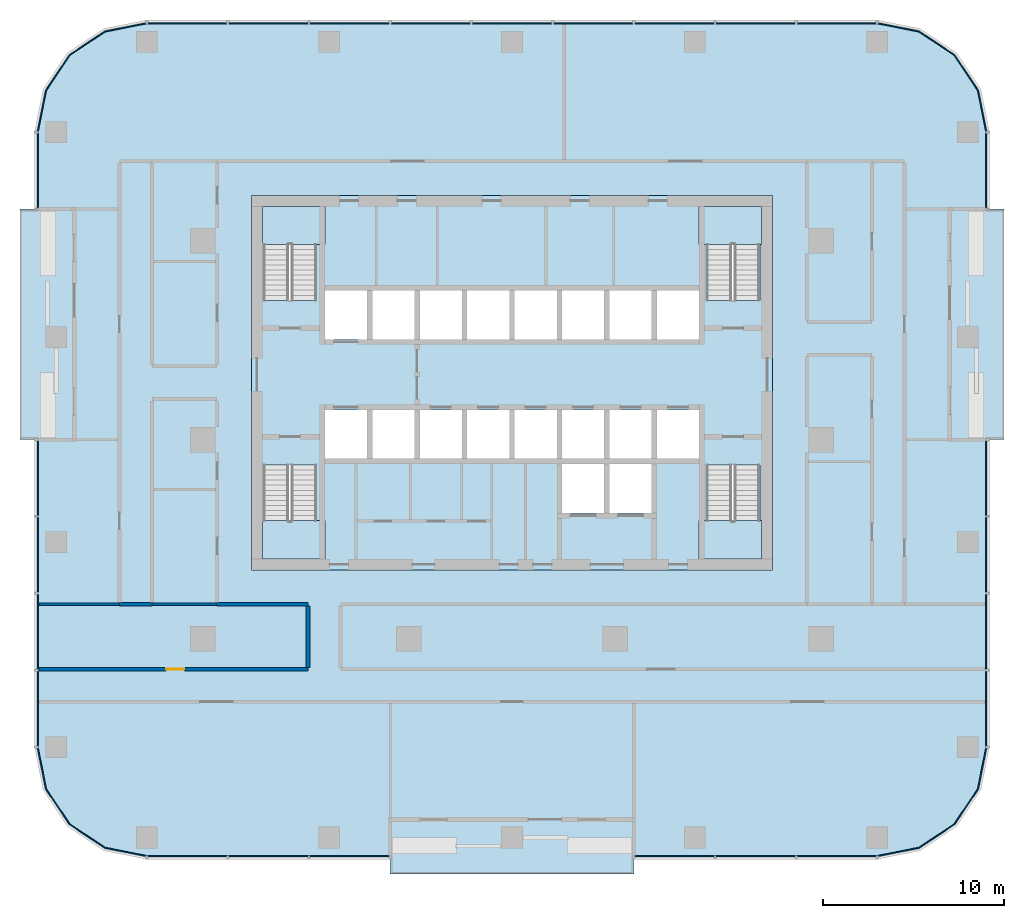
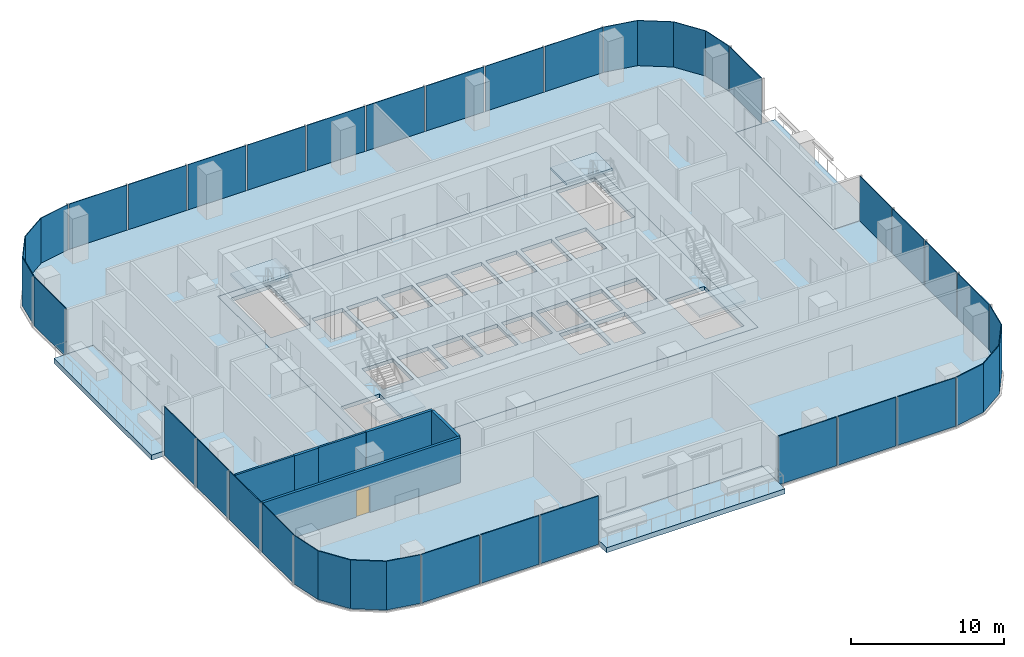
# One storey, part 6 of 14: 29 plates, 9 slabs, 6 walls, 1 door, 1 opening, 15 elements without a shape of their own.
"""IFC4 building model written with IfcOpenShell, lengths in metres."""

from ifc_helpers import new_model, si_unit, direction, frame, frame_2d, origin, origin_2d, place, context, subcontext, project, spatial, polyline, rectangle, outline, extrude, material, layer, layer_set, type_object, element, fill, aggregate, save


model = new_model("IFC4")

# Units and contexts
model_context = context("Model", 3, precision=1e-05, world=origin(), true_north=direction((0.0, 1.0)))
body_context = subcontext(model_context, "Body", "Model", "MODEL_VIEW")
ifc_project = project(units=[si_unit("LENGTHUNIT", "METRE"), si_unit("AREAUNIT", "SQUARE_METRE"), si_unit("VOLUMEUNIT", "CUBIC_METRE"), si_unit("PLANEANGLEUNIT", "RADIAN"), si_unit("MASSUNIT", "GRAM", prefix="KILO")], contexts=[model_context])

# Site, building, storey
site_placement = place(None, origin())
site = spatial("IfcSite", under=ifc_project, at=site_placement, CompositionType="ELEMENT")
building_placement = place(site_placement, origin())
building = spatial("IfcBuilding", under=site, at=building_placement, Name="Mopane Tessera Tower", CompositionType="ELEMENT")
storey_placement = place(building_placement, frame((0.0, 0.0, 161.0)))
storey = spatial("IfcBuildingStorey", under=building, at=storey_placement, Name="L32", CompositionType="ELEMENT", Elevation=161.0)

# Slab
ifc_material_1 = material(Name="Concrete C40/50", Category="concrete")
ifc_layer_1 = layer(ifc_material_1, 0.300048828125)
ifc_layer_set_1 = layer_set([ifc_layer_1], Name="Concrete C40/50")
slab_type_1 = type_object("IfcSlabType", Name="Core floor slab 300 mm", PredefinedType="FLOOR", material=ifc_layer_set_1)
slab_1_placement = place(storey_placement, frame((0.0, 0.0, -0.300048828125)))
element("IfcSlab", 1, at=slab_1_placement, inside=storey, type_object=slab_type_1, Name="L32 core floor slab", PredefinedType="FLOOR", context=body_context, shape_type="SweptSolid", body=[
    extrude(outline(polyline([(-14.39990234375, -7.199951171875), (14.39990234375, -7.199951171875), (14.39990234375, 13.5), (-14.39990234375, 13.5), (-14.39990234375, -7.199951171875)]), holes=[polyline([(-10.35009765625, -1.050048828125), (-8.02490234375, -1.050048828125), (-8.02490234375, 1.64990234375), (-10.35009765625, 1.64990234375), (-10.35009765625, -1.050048828125)]), polyline([(-7.72509765625, -1.050048828125), (-5.39990234375, -1.050048828125), (-5.39990234375, 1.64990234375), (-7.72509765625, 1.64990234375), (-7.72509765625, -1.050048828125)]), polyline([(-5.10009765625, -1.050048828125), (-2.77490234375, -1.050048828125), (-2.77490234375, 1.64990234375), (-5.10009765625, 1.64990234375), (-5.10009765625, -1.050048828125)]), polyline([(-2.47509765625, -1.050048828125), (-0.14990234375, -1.050048828125), (-0.14990234375, 1.64990234375), (-2.47509765625, 1.64990234375), (-2.47509765625, -1.050048828125)]), polyline([(0.14990234375, -1.050048828125), (2.47509765625, -1.050048828125), (2.47509765625, 1.64990234375), (0.14990234375, 1.64990234375), (0.14990234375, -1.050048828125)]), polyline([(2.77490234375, -1.050048828125), (5.10009765625, -1.050048828125), (5.10009765625, 1.64990234375), (2.77490234375, 1.64990234375), (2.77490234375, -1.050048828125)]), polyline([(5.39990234375, -1.050048828125), (7.72509765625, -1.050048828125), (7.72509765625, 1.64990234375), (5.39990234375, 1.64990234375), (5.39990234375, -1.050048828125)]), polyline([(8.02490234375, -1.050048828125), (10.35009765625, -1.050048828125), (10.35009765625, 1.64990234375), (8.02490234375, 1.64990234375), (8.02490234375, -1.050048828125)]), polyline([(-10.35009765625, 5.550048828125), (-8.02490234375, 5.550048828125), (-8.02490234375, 8.25), (-10.35009765625, 8.25), (-10.35009765625, 5.550048828125)]), polyline([(-7.72509765625, 5.550048828125), (-5.39990234375, 5.550048828125), (-5.39990234375, 8.25), (-7.72509765625, 8.25), (-7.72509765625, 5.550048828125)]), polyline([(-5.10009765625, 5.550048828125), (-2.77490234375, 5.550048828125), (-2.77490234375, 8.25), (-5.10009765625, 8.25), (-5.10009765625, 5.550048828125)]), polyline([(-2.47509765625, 5.550048828125), (-0.14990234375, 5.550048828125), (-0.14990234375, 8.25), (-2.47509765625, 8.25), (-2.47509765625, 5.550048828125)]), polyline([(0.14990234375, 5.550048828125), (2.47509765625, 5.550048828125), (2.47509765625, 8.25), (0.14990234375, 8.25), (0.14990234375, 5.550048828125)]), polyline([(2.77490234375, 5.550048828125), (5.10009765625, 5.550048828125), (5.10009765625, 8.25), (2.77490234375, 8.25), (2.77490234375, 5.550048828125)]), polyline([(5.39990234375, 5.550048828125), (7.72509765625, 5.550048828125), (7.72509765625, 8.25), (5.39990234375, 8.25), (5.39990234375, 5.550048828125)]), polyline([(8.02490234375, 5.550048828125), (10.35009765625, 5.550048828125), (10.35009765625, 8.25), (8.02490234375, 8.25), (8.02490234375, 5.550048828125)]), polyline([(2.77490234375, -4.050048828125), (5.10009765625, -4.050048828125), (5.10009765625, -1.35009765625), (2.77490234375, -1.35009765625), (2.77490234375, -4.050048828125)]), polyline([(5.39990234375, -4.050048828125), (7.72509765625, -4.050048828125), (7.72509765625, -1.35009765625), (5.39990234375, -1.35009765625), (5.39990234375, -4.050048828125)]), polyline([(-13.75, -1.405029296875), (-13.75, -6.60009765625), (-10.800048828125, -6.60009765625), (-10.800048828125, -1.405029296875), (-13.75, -1.405029296875)]), polyline([(-10.800048828125, 7.705078125), (-10.800048828125, 12.89990234375), (-13.75, 12.89990234375), (-13.75, 7.705078125), (-10.800048828125, 7.705078125)]), polyline([(10.75, -1.405029296875), (10.75, -6.60009765625), (13.699951171875, -6.60009765625), (13.699951171875, -1.405029296875), (10.75, -1.405029296875)]), polyline([(13.699951171875, 7.705078125), (13.699951171875, 12.89990234375), (10.75, 12.89990234375), (10.75, 7.705078125), (13.699951171875, 7.705078125)])]), origin(), (0.0, 0.0, 1.0), 0.300048828125),
])

# Stair, slab
ifc_material_2 = material(Name="Concrete C50/60", Category="concrete")
stair_type = type_object("IfcStairType", Name="Escape stair 1400 mm, riser 167 mm", PredefinedType="HALF_TURN_STAIR", material=ifc_material_2)
stair_1_placement = place(storey_placement, origin())
stair_1 = element("IfcStair", 2, at=stair_1_placement, inside=storey, type_object=stair_type, Name="L32 Escape stair south-west", PredefinedType="HALF_TURN_STAIR")
ifc_material_3 = material(Name="Concrete C50/60", Category="concrete")
ifc_layer_2 = layer(ifc_material_3, 0.199951171875)
ifc_layer_set_2 = layer_set([ifc_layer_2], Name="Concrete C50/60")
slab_type_2 = type_object("IfcSlabType", Name="Escape stair landing 200 mm", PredefinedType="LANDING", material=ifc_layer_set_2)
slab_2_placement = place(storey_placement, frame((0.0, 0.0, 1.800048828125)))
slab_2 = element("IfcSlab", 3, at=slab_2_placement, type_object=slab_type_2, Name="ST1 landing 1", PredefinedType="LANDING", context=body_context, shape_type="SweptSolid", body=[
    extrude(outline(polyline([(-13.800048828125, -4.47998046875), (-13.800048828125, -6.60009765625), (-10.35009765625, -6.60009765625), (-10.35009765625, -4.47998046875), (-13.800048828125, -4.47998046875)])), origin(), (0.0, 0.0, 1.0), 0.199951171875),
])
aggregate(stair_1, [slab_2])

stair_2_placement = place(storey_placement, origin())
stair_2 = element("IfcStair", 4, at=stair_2_placement, inside=storey, type_object=stair_type, Name="L32 Escape stair north-west", PredefinedType="HALF_TURN_STAIR")
slab_3_placement = place(storey_placement, frame((0.0, 0.0, 1.800048828125)))
slab_3 = element("IfcSlab", 5, at=slab_3_placement, type_object=slab_type_2, Name="ST2 landing 1", PredefinedType="LANDING", context=body_context, shape_type="SweptSolid", body=[
    extrude(outline(polyline([(-10.35009765625, 10.780029296875), (-10.35009765625, 12.89990234375), (-13.800048828125, 12.89990234375), (-13.800048828125, 10.780029296875), (-10.35009765625, 10.780029296875)])), origin(), (0.0, 0.0, 1.0), 0.199951171875),
])
aggregate(stair_2, [slab_3])

stair_3_placement = place(storey_placement, origin())
stair_3 = element("IfcStair", 6, at=stair_3_placement, inside=storey, type_object=stair_type, Name="L32 Escape stair south-east", PredefinedType="HALF_TURN_STAIR")
slab_4_placement = place(storey_placement, frame((0.0, 0.0, 1.800048828125)))
slab_4 = element("IfcSlab", 7, at=slab_4_placement, type_object=slab_type_2, Name="ST3 landing 1", PredefinedType="LANDING", context=body_context, shape_type="SweptSolid", body=[
    extrude(outline(polyline([(10.35009765625, -4.47998046875), (10.35009765625, -6.60009765625), (13.800048828125, -6.60009765625), (13.800048828125, -4.47998046875), (10.35009765625, -4.47998046875)])), origin(), (0.0, 0.0, 1.0), 0.199951171875),
])
aggregate(stair_3, [slab_4])

stair_4_placement = place(storey_placement, origin())
stair_4 = element("IfcStair", 8, at=stair_4_placement, inside=storey, type_object=stair_type, Name="L32 Escape stair north-east", PredefinedType="HALF_TURN_STAIR")
slab_5_placement = place(storey_placement, frame((0.0, 0.0, 1.800048828125)))
slab_5 = element("IfcSlab", 9, at=slab_5_placement, type_object=slab_type_2, Name="ST4 landing 1", PredefinedType="LANDING", context=body_context, shape_type="SweptSolid", body=[
    extrude(outline(polyline([(13.800048828125, 10.780029296875), (13.800048828125, 12.89990234375), (10.35009765625, 12.89990234375), (10.35009765625, 10.780029296875), (13.800048828125, 10.780029296875)])), origin(), (0.0, 0.0, 1.0), 0.199951171875),
])
aggregate(stair_4, [slab_5])

# Slabs
ifc_material_4 = material(Name="Concrete C40/50", Category="concrete")
ifc_layer_3 = layer(ifc_material_4, 0.39990234375)
ifc_layer_set_3 = layer_set([ifc_layer_3], Name="Concrete C40/50")
slab_type_3 = type_object("IfcSlabType", Name="Planted terrace slab 400 mm", PredefinedType="FLOOR", material=ifc_layer_set_3)
slab_6_placement = place(storey_placement, frame((0.0, 0.0, -0.39990234375)))
element("IfcSlab", 10, at=slab_6_placement, inside=storey, type_object=slab_type_3, Name="Terrace slab N1 L32", PredefinedType="FLOOR", context=body_context, shape_type="SweptSolid", body=[
    extrude(outline(polyline([(-27.199951171875, 0.0), (-24.199951171875, 0.0), (-24.199951171875, 12.75), (-27.199951171875, 12.75), (-27.199951171875, 0.0)])), origin(), (0.0, 0.0, 1.0), 0.39990234375),
])
slab_7_placement = place(storey_placement, frame((0.0, 0.0, -0.39990234375)))
element("IfcSlab", 11, at=slab_7_placement, inside=storey, type_object=slab_type_3, Name="Terrace slab N2 L32", PredefinedType="FLOOR", context=body_context, shape_type="SweptSolid", body=[
    extrude(outline(polyline([(6.7333984375, -24.0), (6.7333984375, -21.0), (-6.7333984375, -21.0), (-6.7333984375, -24.0), (6.7333984375, -24.0)])), origin(), (0.0, 0.0, 1.0), 0.39990234375),
])
slab_8_placement = place(storey_placement, frame((0.0, 0.0, -0.39990234375)))
element("IfcSlab", 12, at=slab_8_placement, inside=storey, type_object=slab_type_3, Name="Terrace slab N3 L32", PredefinedType="FLOOR", context=body_context, shape_type="SweptSolid", body=[
    extrude(outline(polyline([(27.199951171875, 12.75), (24.199951171875, 12.75), (24.199951171875, 0.0), (27.199951171875, 0.0), (27.199951171875, 12.75)])), origin(), (0.0, 0.0, 1.0), 0.39990234375),
])
ifc_material_5 = material(Name="Concrete C40/50", Category="concrete")
ifc_layer_4 = layer(ifc_material_5, 0.39990234375)
ifc_layer_set_4 = layer_set([ifc_layer_4], Name="Concrete C40/50")
slab_type_4 = type_object("IfcSlabType", Name="Post-tensioned flat plate 400 mm", PredefinedType="FLOOR", material=ifc_layer_set_4)
slab_9_placement = place(storey_placement, frame((0.0, 0.0, -0.39990234375)))
element("IfcSlab", 13, at=slab_9_placement, inside=storey, type_object=slab_type_4, Name="Floor slab L32", PredefinedType="FLOOR", context=body_context, shape_type="SweptSolid", body=[
    extrude(outline(polyline([(-20.199951171875, -23.0), (-6.7333984375, -23.0), (-6.7333984375, -21.0), (6.7333984375, -21.0), (6.7333984375, -23.0), (20.199951171875, -23.0), (22.49609375, -22.543212890625), (24.442626953125, -21.24267578125), (25.7431640625, -19.296142578125), (26.199951171875, -17.0), (26.199951171875, 0.0), (24.199951171875, 0.0), (24.199951171875, 12.75), (26.199951171875, 12.75), (26.199951171875, 17.0), (25.7431640625, 19.296142578125), (24.442626953125, 21.24267578125), (22.49609375, 22.543212890625), (20.199951171875, 23.0), (-20.199951171875, 23.0), (-22.49609375, 22.543212890625), (-24.442626953125, 21.24267578125), (-25.7431640625, 19.296142578125), (-26.199951171875, 17.0), (-26.199951171875, 12.75), (-24.199951171875, 12.75), (-24.199951171875, 0.0), (-26.199951171875, 0.0), (-26.199951171875, -17.0), (-25.7431640625, -19.296142578125), (-24.442626953125, -21.24267578125), (-22.49609375, -22.543212890625), (-20.199951171875, -23.0)]), holes=[polyline([(14.39990234375, -7.199951171875), (-14.39990234375, -7.199951171875), (-14.39990234375, 13.5), (14.39990234375, 13.5), (14.39990234375, -7.199951171875)])]), origin(), (0.0, 0.0, 1.0), 0.39990234375),
])

# Curtain wall, plates
ifc_material_6 = material(Name="Aluminium frame", Category="aluminium")
curtain_wall_type = type_object("IfcCurtainWallType", Name="Unitised curtain wall", PredefinedType="NOTDEFINED", material=ifc_material_6)
curtain_wall_1_placement = place(storey_placement, origin())
curtain_wall_1 = element("IfcCurtainWall", 14, at=curtain_wall_1_placement, inside=storey, type_object=curtain_wall_type, Name="e:cw:L32:S:0", PredefinedType="NOTDEFINED")
ifc_material_7 = material(Name="Clear laminated glass", Category="glass")
ifc_layer_5 = layer(ifc_material_7, 0.06005859375)
ifc_layer_set_5 = layer_set([ifc_layer_5], Name="Clear laminated glass")
plate_type = type_object("IfcPlateType", Name="Unitised glazed unit", PredefinedType="CURTAIN_PANEL", material=ifc_layer_set_5)
plate_1_placement = place(storey_placement, frame((-17.95556640625, -23.030029296875, -0.280029296875), z_axis=(0.0, 0.0, 1.0), x_axis=(1.0, 0.0, 0.0)))
plate_1 = element("IfcPlate", 15, at=plate_1_placement, type_object=plate_type, Name="e:cw:L32:S:0:pn0", PredefinedType="CURTAIN_PANEL", context=body_context, shape_type="SweptSolid", body=[
    extrude(rectangle(XDim=4.388916015625, YDim=0.06005859375, at=origin_2d()), origin(), (0.0, 0.0, 1.0), 3.8798828125),
])
plate_2_placement = place(storey_placement, frame((-13.466552734375, -23.030029296875, -0.280029296875), z_axis=(0.0, 0.0, 1.0), x_axis=(1.0, 0.0, 0.0)))
plate_2 = element("IfcPlate", 16, at=plate_2_placement, type_object=plate_type, Name="e:cw:L32:S:0:pn1", PredefinedType="CURTAIN_PANEL", context=body_context, shape_type="SweptSolid", body=[
    extrude(rectangle(XDim=4.388916015625, YDim=0.06005859375, at=origin_2d()), origin(), (0.0, 0.0, 1.0), 3.8798828125),
])
plate_3_placement = place(storey_placement, frame((-8.977783203125, -23.030029296875, -0.280029296875), z_axis=(0.0, 0.0, 1.0), x_axis=(1.0, 0.0, 0.0)))
plate_3 = element("IfcPlate", 17, at=plate_3_placement, type_object=plate_type, Name="e:cw:L32:S:0:pn2", PredefinedType="CURTAIN_PANEL", context=body_context, shape_type="SweptSolid", body=[
    extrude(rectangle(XDim=4.388916015625, YDim=0.06005859375, at=origin_2d()), origin(), (0.0, 0.0, 1.0), 3.8798828125),
])
aggregate(curtain_wall_1, [plate_1, plate_2, plate_3])

curtain_wall_2_placement = place(storey_placement, origin())
curtain_wall_2 = element("IfcCurtainWall", 18, at=curtain_wall_2_placement, inside=storey, type_object=curtain_wall_type, Name="e:cw:L32:S:6", PredefinedType="NOTDEFINED")
plate_4_placement = place(storey_placement, frame((8.977783203125, -23.030029296875, -0.280029296875), z_axis=(0.0, 0.0, 1.0), x_axis=(1.0, 0.0, 0.0)))
plate_4 = element("IfcPlate", 19, at=plate_4_placement, type_object=plate_type, Name="e:cw:L32:S:6:pn6", PredefinedType="CURTAIN_PANEL", context=body_context, shape_type="SweptSolid", body=[
    extrude(rectangle(XDim=4.388916015625, YDim=0.06005859375, at=origin_2d()), origin(), (0.0, 0.0, 1.0), 3.8798828125),
])
plate_5_placement = place(storey_placement, frame((13.466552734375, -23.030029296875, -0.280029296875), z_axis=(0.0, 0.0, 1.0), x_axis=(1.0, 0.0, 0.0)))
plate_5 = element("IfcPlate", 20, at=plate_5_placement, type_object=plate_type, Name="e:cw:L32:S:6:pn7", PredefinedType="CURTAIN_PANEL", context=body_context, shape_type="SweptSolid", body=[
    extrude(rectangle(XDim=4.388916015625, YDim=0.06005859375, at=origin_2d()), origin(), (0.0, 0.0, 1.0), 3.8798828125),
])
plate_6_placement = place(storey_placement, frame((17.95556640625, -23.030029296875, -0.280029296875), z_axis=(0.0, 0.0, 1.0), x_axis=(1.0, 0.0, 0.0)))
plate_6 = element("IfcPlate", 21, at=plate_6_placement, type_object=plate_type, Name="e:cw:L32:S:6:pn8", PredefinedType="CURTAIN_PANEL", context=body_context, shape_type="SweptSolid", body=[
    extrude(rectangle(XDim=4.388916015625, YDim=0.06005859375, at=origin_2d()), origin(), (0.0, 0.0, 1.0), 3.8798828125),
])
aggregate(curtain_wall_2, [plate_4, plate_5, plate_6])

# Curtain wall, plate
curtain_wall_3_placement = place(storey_placement, origin())
curtain_wall_3 = element("IfcCurtainWall", 22, at=curtain_wall_3_placement, inside=storey, type_object=curtain_wall_type, Name="e:cw:L32:CS", PredefinedType="NOTDEFINED")
plate_7_placement = place(storey_placement, frame((0.0, 0.0, -0.280029296875)))
plate_7 = element("IfcPlate", 23, at=plate_7_placement, type_object=plate_type, Name="e:cw:L32:CS:pn", PredefinedType="CURTAIN_PANEL", context=body_context, shape_type="SweptSolid", body=[
    extrude(outline(polyline([(20.199951171875, -23.0), (22.49609375, -22.543212890625), (24.442626953125, -21.24267578125), (25.7431640625, -19.296142578125), (26.199951171875, -17.0), (26.260009765625, -17.0), (25.798828125, -19.319091796875), (24.485107421875, -21.28515625), (22.51904296875, -22.5986328125), (20.199951171875, -23.06005859375), (20.199951171875, -23.0)])), origin(), (0.0, 0.0, 1.0), 3.880126953125),
])
aggregate(curtain_wall_3, [plate_7])

# Curtain wall, plates
curtain_wall_4_placement = place(storey_placement, origin())
curtain_wall_4 = element("IfcCurtainWall", 24, at=curtain_wall_4_placement, inside=storey, type_object=curtain_wall_type, Name="e:cw:L32:E:0", PredefinedType="NOTDEFINED")
plate_8_placement = place(storey_placement, frame((26.22998046875, -14.875, -0.280029296875), z_axis=(0.0, 0.0, 1.0), x_axis=(0.0, 1.0, 0.0)))
plate_8 = element("IfcPlate", 25, at=plate_8_placement, type_object=plate_type, Name="e:cw:L32:E:0:pn0", PredefinedType="CURTAIN_PANEL", context=body_context, shape_type="SweptSolid", body=[
    extrude(rectangle(XDim=4.14990234375, YDim=0.06005859375, at=origin_2d()), origin(), (0.0, 0.0, 1.0), 3.8798828125),
])
plate_9_placement = place(storey_placement, frame((26.22998046875, -10.625, -0.280029296875), z_axis=(0.0, 0.0, 1.0), x_axis=(0.0, 1.0, 0.0)))
plate_9 = element("IfcPlate", 26, at=plate_9_placement, type_object=plate_type, Name="e:cw:L32:E:0:pn1", PredefinedType="CURTAIN_PANEL", context=body_context, shape_type="SweptSolid", body=[
    extrude(rectangle(XDim=4.14990234375, YDim=0.06005859375, at=origin_2d()), origin(), (0.0, 0.0, 1.0), 3.8798828125),
])
plate_10_placement = place(storey_placement, frame((26.22998046875, -6.375, -0.280029296875), z_axis=(0.0, 0.0, 1.0), x_axis=(0.0, 1.0, 0.0)))
plate_10 = element("IfcPlate", 27, at=plate_10_placement, type_object=plate_type, Name="e:cw:L32:E:0:pn2", PredefinedType="CURTAIN_PANEL", context=body_context, shape_type="SweptSolid", body=[
    extrude(rectangle(XDim=4.14990234375, YDim=0.06005859375, at=origin_2d()), origin(), (0.0, 0.0, 1.0), 3.8798828125),
])
plate_11_placement = place(storey_placement, frame((26.22998046875, -2.125, -0.280029296875), z_axis=(0.0, 0.0, 1.0), x_axis=(0.0, 1.0, 0.0)))
plate_11 = element("IfcPlate", 28, at=plate_11_placement, type_object=plate_type, Name="e:cw:L32:E:0:pn3", PredefinedType="CURTAIN_PANEL", context=body_context, shape_type="SweptSolid", body=[
    extrude(rectangle(XDim=4.14990234375, YDim=0.06005859375, at=origin_2d()), origin(), (0.0, 0.0, 1.0), 3.8798828125),
])
aggregate(curtain_wall_4, [plate_8, plate_9, plate_10, plate_11])

# Curtain wall, plate
curtain_wall_5_placement = place(storey_placement, origin())
curtain_wall_5 = element("IfcCurtainWall", 29, at=curtain_wall_5_placement, inside=storey, type_object=curtain_wall_type, Name="e:cw:L32:E:7", PredefinedType="NOTDEFINED")
plate_12_placement = place(storey_placement, frame((26.22998046875, 14.875, -0.280029296875), z_axis=(0.0, 0.0, 1.0), x_axis=(0.0, 1.0, 0.0)))
plate_12 = element("IfcPlate", 30, at=plate_12_placement, type_object=plate_type, Name="e:cw:L32:E:7:pn7", PredefinedType="CURTAIN_PANEL", context=body_context, shape_type="SweptSolid", body=[
    extrude(rectangle(XDim=4.14990234375, YDim=0.06005859375, at=origin_2d()), origin(), (0.0, 0.0, 1.0), 3.8798828125),
])
aggregate(curtain_wall_5, [plate_12])

curtain_wall_6_placement = place(storey_placement, origin())
curtain_wall_6 = element("IfcCurtainWall", 31, at=curtain_wall_6_placement, inside=storey, type_object=curtain_wall_type, Name="e:cw:L32:CE", PredefinedType="NOTDEFINED")
plate_13_placement = place(storey_placement, frame((0.0, 0.0, -0.280029296875)))
plate_13 = element("IfcPlate", 32, at=plate_13_placement, type_object=plate_type, Name="e:cw:L32:CE:pn", PredefinedType="CURTAIN_PANEL", context=body_context, shape_type="SweptSolid", body=[
    extrude(outline(polyline([(26.199951171875, 17.0), (25.7431640625, 19.296142578125), (24.442626953125, 21.24267578125), (22.49609375, 22.543212890625), (20.199951171875, 23.0), (20.199951171875, 23.06005859375), (22.51904296875, 22.5986328125), (24.485107421875, 21.28515625), (25.798828125, 19.319091796875), (26.260009765625, 17.0), (26.199951171875, 17.0)])), origin(), (0.0, 0.0, 1.0), 3.880126953125),
])
aggregate(curtain_wall_6, [plate_13])

# Curtain wall, plates
curtain_wall_7_placement = place(storey_placement, origin())
curtain_wall_7 = element("IfcCurtainWall", 33, at=curtain_wall_7_placement, inside=storey, type_object=curtain_wall_type, Name="e:cw:L32:N:0", PredefinedType="NOTDEFINED")
plate_14_placement = place(storey_placement, frame((17.95556640625, 23.030029296875, -0.280029296875), z_axis=(0.0, 0.0, 1.0), x_axis=(-1.0, 0.0, 0.0)))
plate_14 = element("IfcPlate", 34, at=plate_14_placement, type_object=plate_type, Name="e:cw:L32:N:0:pn0", PredefinedType="CURTAIN_PANEL", context=body_context, shape_type="SweptSolid", body=[
    extrude(rectangle(XDim=4.388916015625, YDim=0.06005859375, at=origin_2d()), origin(), (0.0, 0.0, 1.0), 3.8798828125),
])
plate_15_placement = place(storey_placement, frame((13.466552734375, 23.030029296875, -0.280029296875), z_axis=(0.0, 0.0, 1.0), x_axis=(-1.0, 0.0, 0.0)))
plate_15 = element("IfcPlate", 35, at=plate_15_placement, type_object=plate_type, Name="e:cw:L32:N:0:pn1", PredefinedType="CURTAIN_PANEL", context=body_context, shape_type="SweptSolid", body=[
    extrude(rectangle(XDim=4.388916015625, YDim=0.06005859375, at=origin_2d()), origin(), (0.0, 0.0, 1.0), 3.8798828125),
])
plate_16_placement = place(storey_placement, frame((8.977783203125, 23.030029296875, -0.280029296875), z_axis=(0.0, 0.0, 1.0), x_axis=(-1.0, 0.0, 0.0)))
plate_16 = element("IfcPlate", 36, at=plate_16_placement, type_object=plate_type, Name="e:cw:L32:N:0:pn2", PredefinedType="CURTAIN_PANEL", context=body_context, shape_type="SweptSolid", body=[
    extrude(rectangle(XDim=4.388916015625, YDim=0.06005859375, at=origin_2d()), origin(), (0.0, 0.0, 1.0), 3.8798828125),
])
plate_17_placement = place(storey_placement, frame((4.48876953125, 23.030029296875, -0.280029296875), z_axis=(0.0, 0.0, 1.0), x_axis=(-1.0, 0.0, 0.0)))
plate_17 = element("IfcPlate", 37, at=plate_17_placement, type_object=plate_type, Name="e:cw:L32:N:0:pn3", PredefinedType="CURTAIN_PANEL", context=body_context, shape_type="SweptSolid", body=[
    extrude(rectangle(XDim=4.388916015625, YDim=0.06005859375, at=origin_2d()), origin(), (0.0, 0.0, 1.0), 3.8798828125),
])
plate_18_placement = place(storey_placement, frame((0.0, 23.030029296875, -0.280029296875), z_axis=(0.0, 0.0, 1.0), x_axis=(-1.0, 0.0, 0.0)))
plate_18 = element("IfcPlate", 38, at=plate_18_placement, type_object=plate_type, Name="e:cw:L32:N:0:pn4", PredefinedType="CURTAIN_PANEL", context=body_context, shape_type="SweptSolid", body=[
    extrude(rectangle(XDim=4.388916015625, YDim=0.06005859375, at=origin_2d()), origin(), (0.0, 0.0, 1.0), 3.8798828125),
])
plate_19_placement = place(storey_placement, frame((-4.48876953125, 23.030029296875, -0.280029296875), z_axis=(0.0, 0.0, 1.0), x_axis=(-1.0, 0.0, 0.0)))
plate_19 = element("IfcPlate", 39, at=plate_19_placement, type_object=plate_type, Name="e:cw:L32:N:0:pn5", PredefinedType="CURTAIN_PANEL", context=body_context, shape_type="SweptSolid", body=[
    extrude(rectangle(XDim=4.388916015625, YDim=0.06005859375, at=origin_2d()), origin(), (0.0, 0.0, 1.0), 3.8798828125),
])
plate_20_placement = place(storey_placement, frame((-8.977783203125, 23.030029296875, -0.280029296875), z_axis=(0.0, 0.0, 1.0), x_axis=(-1.0, 0.0, 0.0)))
plate_20 = element("IfcPlate", 40, at=plate_20_placement, type_object=plate_type, Name="e:cw:L32:N:0:pn6", PredefinedType="CURTAIN_PANEL", context=body_context, shape_type="SweptSolid", body=[
    extrude(rectangle(XDim=4.388916015625, YDim=0.06005859375, at=origin_2d()), origin(), (0.0, 0.0, 1.0), 3.8798828125),
])
plate_21_placement = place(storey_placement, frame((-13.466552734375, 23.030029296875, -0.280029296875), z_axis=(0.0, 0.0, 1.0), x_axis=(-1.0, 0.0, 0.0)))
plate_21 = element("IfcPlate", 41, at=plate_21_placement, type_object=plate_type, Name="e:cw:L32:N:0:pn7", PredefinedType="CURTAIN_PANEL", context=body_context, shape_type="SweptSolid", body=[
    extrude(rectangle(XDim=4.388916015625, YDim=0.06005859375, at=origin_2d()), origin(), (0.0, 0.0, 1.0), 3.8798828125),
])
plate_22_placement = place(storey_placement, frame((-17.95556640625, 23.030029296875, -0.280029296875), z_axis=(0.0, 0.0, 1.0), x_axis=(-1.0, 0.0, 0.0)))
plate_22 = element("IfcPlate", 42, at=plate_22_placement, type_object=plate_type, Name="e:cw:L32:N:0:pn8", PredefinedType="CURTAIN_PANEL", context=body_context, shape_type="SweptSolid", body=[
    extrude(rectangle(XDim=4.388916015625, YDim=0.06005859375, at=origin_2d()), origin(), (0.0, 0.0, 1.0), 3.8798828125),
])
aggregate(curtain_wall_7, [plate_14, plate_15, plate_16, plate_17, plate_18, plate_19, plate_20, plate_21, plate_22])

# Curtain wall, plate
curtain_wall_8_placement = place(storey_placement, origin())
curtain_wall_8 = element("IfcCurtainWall", 43, at=curtain_wall_8_placement, inside=storey, type_object=curtain_wall_type, Name="e:cw:L32:CN", PredefinedType="NOTDEFINED")
plate_23_placement = place(storey_placement, frame((0.0, 0.0, -0.280029296875)))
plate_23 = element("IfcPlate", 44, at=plate_23_placement, type_object=plate_type, Name="e:cw:L32:CN:pn", PredefinedType="CURTAIN_PANEL", context=body_context, shape_type="SweptSolid", body=[
    extrude(outline(polyline([(-20.199951171875, 23.0), (-22.49609375, 22.543212890625), (-24.442626953125, 21.24267578125), (-25.7431640625, 19.296142578125), (-26.199951171875, 17.0), (-26.260009765625, 17.0), (-25.798828125, 19.319091796875), (-24.485107421875, 21.28515625), (-22.51904296875, 22.5986328125), (-20.199951171875, 23.06005859375), (-20.199951171875, 23.0)])), origin(), (0.0, 0.0, 1.0), 3.880126953125),
])
aggregate(curtain_wall_8, [plate_23])

curtain_wall_9_placement = place(storey_placement, origin())
curtain_wall_9 = element("IfcCurtainWall", 45, at=curtain_wall_9_placement, inside=storey, type_object=curtain_wall_type, Name="e:cw:L32:W:0", PredefinedType="NOTDEFINED")
plate_24_placement = place(storey_placement, frame((-26.22998046875, 14.875, -0.280029296875), z_axis=(0.0, 0.0, 1.0), x_axis=(0.0, -1.0, 0.0)))
plate_24 = element("IfcPlate", 46, at=plate_24_placement, type_object=plate_type, Name="e:cw:L32:W:0:pn0", PredefinedType="CURTAIN_PANEL", context=body_context, shape_type="SweptSolid", body=[
    extrude(rectangle(XDim=4.14990234375, YDim=0.06005859375, at=origin_2d()), origin(), (0.0, 0.0, 1.0), 3.8798828125),
])
aggregate(curtain_wall_9, [plate_24])

# Curtain wall, plates
curtain_wall_10_placement = place(storey_placement, origin())
curtain_wall_10 = element("IfcCurtainWall", 47, at=curtain_wall_10_placement, inside=storey, type_object=curtain_wall_type, Name="e:cw:L32:W:4", PredefinedType="NOTDEFINED")
plate_25_placement = place(storey_placement, frame((-26.22998046875, -2.125, -0.280029296875), z_axis=(0.0, 0.0, 1.0), x_axis=(0.0, -1.0, 0.0)))
plate_25 = element("IfcPlate", 48, at=plate_25_placement, type_object=plate_type, Name="e:cw:L32:W:4:pn4", PredefinedType="CURTAIN_PANEL", context=body_context, shape_type="SweptSolid", body=[
    extrude(rectangle(XDim=4.14990234375, YDim=0.06005859375, at=origin_2d()), origin(), (0.0, 0.0, 1.0), 3.8798828125),
])
plate_26_placement = place(storey_placement, frame((-26.22998046875, -6.375, -0.280029296875), z_axis=(0.0, 0.0, 1.0), x_axis=(0.0, -1.0, 0.0)))
plate_26 = element("IfcPlate", 49, at=plate_26_placement, type_object=plate_type, Name="e:cw:L32:W:4:pn5", PredefinedType="CURTAIN_PANEL", context=body_context, shape_type="SweptSolid", body=[
    extrude(rectangle(XDim=4.14990234375, YDim=0.06005859375, at=origin_2d()), origin(), (0.0, 0.0, 1.0), 3.8798828125),
])
plate_27_placement = place(storey_placement, frame((-26.22998046875, -10.625, -0.280029296875), z_axis=(0.0, 0.0, 1.0), x_axis=(0.0, -1.0, 0.0)))
plate_27 = element("IfcPlate", 50, at=plate_27_placement, type_object=plate_type, Name="e:cw:L32:W:4:pn6", PredefinedType="CURTAIN_PANEL", context=body_context, shape_type="SweptSolid", body=[
    extrude(rectangle(XDim=4.14990234375, YDim=0.06005859375, at=origin_2d()), origin(), (0.0, 0.0, 1.0), 3.8798828125),
])
plate_28_placement = place(storey_placement, frame((-26.22998046875, -14.875, -0.280029296875), z_axis=(0.0, 0.0, 1.0), x_axis=(0.0, -1.0, 0.0)))
plate_28 = element("IfcPlate", 51, at=plate_28_placement, type_object=plate_type, Name="e:cw:L32:W:4:pn7", PredefinedType="CURTAIN_PANEL", context=body_context, shape_type="SweptSolid", body=[
    extrude(rectangle(XDim=4.14990234375, YDim=0.06005859375, at=origin_2d()), origin(), (0.0, 0.0, 1.0), 3.8798828125),
])
aggregate(curtain_wall_10, [plate_25, plate_26, plate_27, plate_28])

# Curtain wall, plate
curtain_wall_11_placement = place(storey_placement, origin())
curtain_wall_11 = element("IfcCurtainWall", 52, at=curtain_wall_11_placement, inside=storey, type_object=curtain_wall_type, Name="e:cw:L32:CW", PredefinedType="NOTDEFINED")
plate_29_placement = place(storey_placement, frame((0.0, 0.0, -0.280029296875)))
plate_29 = element("IfcPlate", 53, at=plate_29_placement, type_object=plate_type, Name="e:cw:L32:CW:pn", PredefinedType="CURTAIN_PANEL", context=body_context, shape_type="SweptSolid", body=[
    extrude(outline(polyline([(-26.199951171875, -17.0), (-25.7431640625, -19.296142578125), (-24.442626953125, -21.24267578125), (-22.49609375, -22.543212890625), (-20.199951171875, -23.0), (-20.199951171875, -23.06005859375), (-22.51904296875, -22.5986328125), (-24.485107421875, -21.28515625), (-25.798828125, -19.319091796875), (-26.260009765625, -17.0), (-26.199951171875, -17.0)])), origin(), (0.0, 0.0, 1.0), 3.880126953125),
])
aggregate(curtain_wall_11, [plate_29])

# Wall, opening, door
ifc_material_8 = material(Name="Gypsum board on steel studs, two layers each face, mineral wool infill", Category="steel")
ifc_layer_6 = layer(ifc_material_8, 0.199951171875)
ifc_layer_set_6 = layer_set([ifc_layer_6], Name="Gypsum board on steel studs, two layers each face, mineral wool infill")
wall_type_1 = type_object("IfcWallType", Name="Gypsum board corridor wall 200, rated EI 60", PredefinedType="PARTITIONING", material=ifc_layer_set_6)
wall_1_placement = place(storey_placement, frame((-26.14990234375, -12.699951171875, 0.0), z_axis=(0.0, 0.0, 1.0), x_axis=(1.0, 0.0, 0.0)))
wall_1 = element("IfcWall", 54, at=wall_1_placement, inside=storey, type_object=wall_type_1, Name="Partition L32:001", PredefinedType="PARTITIONING", context=body_context, shape_type="SweptSolid", body=[
    extrude(rectangle(XDim=14.869873046875, YDim=0.199951171875, at=frame_2d((7.43505859375, 0.0))), origin(), (0.0, 0.0, 1.0), 3.60009765625),
])
opening_placement = place(wall_1_placement, frame((7.034912109375, 0.0, 0.0)))
opening = element("IfcOpeningElement", 55, at=opening_placement, cuts=wall_1, Name="Opening L32-09", PredefinedType="OPENING", context=body_context, shape_type="SweptSolid", body=[
    extrude(rectangle(XDim=1.0, YDim=2.10009765625, at=frame_2d((0.5, 1.050048828125))), frame((0.0, 0.112060546875, 0.0), z_axis=(0.0, -1.0, 0.0), x_axis=(1.0, 0.0, 0.0)), (0.0, 0.0, 1.0), 0.223876953125),
])
ifc_material_9 = material(Name="Timber veneered steel-framed fire door", Category="steel")
door_type = type_object("IfcDoorType", Name="Fire door FD60 1000 x 2100", OperationType="SINGLE_SWING_LEFT", PredefinedType="DOOR", material=ifc_material_9)
door_placement = place(opening_placement, origin())
door = element("IfcDoor", 56, at=door_placement, inside=storey, type_object=door_type, Name="Door L32-09", ObjectType="D12A", OperationType="SINGLE_SWING_RIGHT", OverallHeight=2.10009765625, OverallWidth=1.0, PredefinedType="DOOR", context=body_context, shape_type="SweptSolid", body=[
    extrude(rectangle(XDim=1.0, YDim=2.10009765625, at=frame_2d((0.5, 1.050048828125))), frame((0.0, 0.02490234375, 0.0), z_axis=(0.0, -1.0, 0.0), x_axis=(1.0, 0.0, 0.0)), (0.0, 0.0, 1.0), 0.050048828125),
])
fill(opening, door)

# Walls
wall_2_placement = place(storey_placement, frame((-21.699951171875, -9.10009765625, 0.0), z_axis=(0.0, 0.0, 1.0), x_axis=(1.0, 0.0, 0.0)))
element("IfcWall", 57, at=wall_2_placement, inside=storey, type_object=wall_type_1, Name="Partition L32:007", PredefinedType="PARTITIONING", context=body_context, shape_type="SweptSolid", body=[
    extrude(rectangle(XDim=1.800048828125, YDim=0.199951171875, at=frame_2d((0.89990234375, 0.0))), origin(), (0.0, 0.0, 1.0), 3.60009765625),
])
wall_3_placement = place(storey_placement, frame((-16.300048828125, -9.10009765625, 0.0), z_axis=(0.0, 0.0, 1.0), x_axis=(1.0, 0.0, 0.0)))
element("IfcWall", 58, at=wall_3_placement, inside=storey, type_object=wall_type_1, Name="Partition L32:008", PredefinedType="PARTITIONING", context=body_context, shape_type="SweptSolid", body=[
    extrude(rectangle(XDim=5.02001953125, YDim=0.199951171875, at=frame_2d((2.510009765625, 0.0))), origin(), (0.0, 0.0, 1.0), 3.60009765625),
])
wall_4_placement = place(storey_placement, frame((-11.280029296875, -12.60009765625, 0.0), z_axis=(0.0, 0.0, 1.0), x_axis=(0.0, 1.0, 0.0)))
element("IfcWall", 59, at=wall_4_placement, inside=storey, type_object=wall_type_1, Name="Partition L32:034", PredefinedType="PARTITIONING", context=body_context, shape_type="SweptSolid", body=[
    extrude(rectangle(XDim=3.400146484375, YDim=0.199951171875, at=frame_2d((1.7001953125, 0.0))), origin(), (0.0, 0.0, 1.0), 3.60009765625),
])
ifc_material_10 = material(Name="Gypsum board on steel studs, mineral wool infill", Category="steel")
ifc_layer_7 = layer(ifc_material_10, 0.14990234375)
ifc_layer_set_7 = layer_set([ifc_layer_7], Name="Gypsum board on steel studs, mineral wool infill")
wall_type_2 = type_object("IfcWallType", Name="Gypsum board partition 150, rated EI 60", PredefinedType="PARTITIONING", material=ifc_layer_set_7)
wall_5_placement = place(storey_placement, frame((-26.14990234375, -9.10009765625, 0.0), z_axis=(0.0, 0.0, 1.0), x_axis=(1.0, 0.0, 0.0)))
element("IfcWall", 60, at=wall_5_placement, inside=storey, type_object=wall_type_2, Name="Partition L32:003", PredefinedType="PARTITIONING", context=body_context, shape_type="SweptSolid", body=[
    extrude(rectangle(XDim=4.449951171875, YDim=0.14990234375, at=frame_2d((2.22509765625, 0.0))), origin(), (0.0, 0.0, 1.0), 3.60009765625),
])
wall_6_placement = place(storey_placement, frame((-19.89990234375, -9.10009765625, 0.0), z_axis=(0.0, 0.0, 1.0), x_axis=(1.0, 0.0, 0.0)))
element("IfcWall", 61, at=wall_6_placement, inside=storey, type_object=wall_type_2, Name="Partition L32:004", PredefinedType="PARTITIONING", context=body_context, shape_type="SweptSolid", body=[
    extrude(rectangle(XDim=3.599853515625, YDim=0.14990234375, at=frame_2d((1.7998046875, 0.0))), origin(), (0.0, 0.0, 1.0), 3.60009765625),
])

save(model, "model.ifc")
